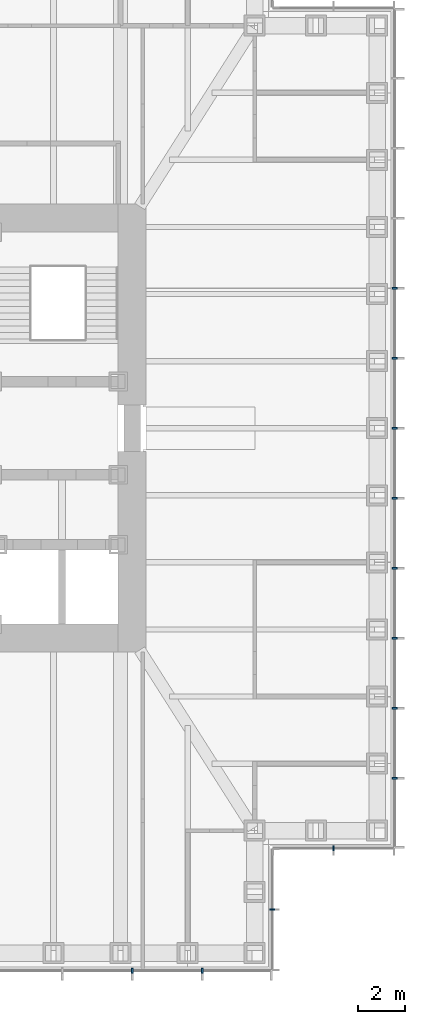
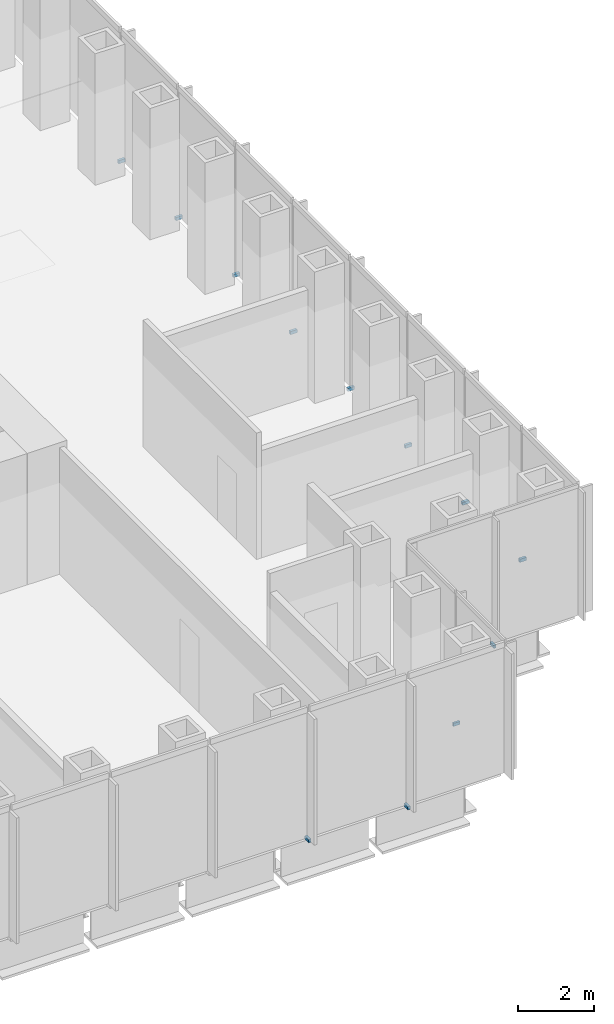
# One storey, part 14 of 17: 12 discrete accessories.
"""IFC4 building model written with IfcOpenShell, lengths in metres."""

from ifc_helpers import new_model, si_unit, direction, frame, origin, origin_2d, place, context, subcontext, project, spatial, rectangle, extrude, element, save


model = new_model("IFC4")

# Units and contexts
model_context = context("Model", 3, precision=1e-05, world=origin(), true_north=direction((0.0, 1.0)))
body_context = subcontext(model_context, "Body", "Model", "MODEL_VIEW")
ifc_project = project(units=[si_unit("LENGTHUNIT", "METRE"), si_unit("AREAUNIT", "SQUARE_METRE"), si_unit("VOLUMEUNIT", "CUBIC_METRE"), si_unit("PLANEANGLEUNIT", "RADIAN"), si_unit("MASSUNIT", "GRAM", prefix="KILO")], contexts=[model_context])

# Site, building, storey
site_placement = place(None, origin())
site = spatial("IfcSite", under=ifc_project, at=site_placement, CompositionType="ELEMENT")
building_placement = place(site_placement, origin())
building = spatial("IfcBuilding", under=site, at=building_placement, Name="Daluyong Arena Tower", CompositionType="ELEMENT")
storey_placement = place(building_placement, frame((0.0, 0.0, 150.10009765625)))
storey = spatial("IfcBuildingStorey", under=building, at=storey_placement, Name="L33", CompositionType="ELEMENT", Elevation=150.10009765625)

# Discrete accessories
for number, where, z_axis, x_axis, name in (
    (1, (68.0, 56.75, -0.10009765625), (0.0, 0.0, 1.0), (1.0, 0.0, 0.0), "curtain wall L33 S anchor bracket 11"),
    (2, (71.0, 56.75, -0.10009765625), (0.0, 0.0, 1.0), (1.0, 0.0, 0.0), "curtain wall L33 S anchor bracket 12"),
):
    element("IfcDiscreteAccessory", number, at=place(storey_placement, frame(where, z_axis=z_axis, x_axis=x_axis)), inside=storey, Name=name, PredefinedType="BRACKET", context=body_context, shape_type="SweptSolid", body=[
        extrude(rectangle(XDim=0.080078125, YDim=0.199951171875, at=origin_2d()), origin(), (0.0, 0.0, 1.0), 0.10009765625),
    ])
for number, where, z_axis, x_axis, name in (
    (3, (74.0, 59.375, -0.10009765625), (0.0, 0.0, 1.0), (0.0, 1.0, 0.0), "curtain wall L33 SE-E anchor bracket 2"),
    (4, (76.625, 62.0, -0.10009765625), (0.0, 0.0, 1.0), (1.0, 0.0, 0.0), "curtain wall L33 SE-S anchor bracket 2"),
):
    element("IfcDiscreteAccessory", number, at=place(storey_placement, frame(where, z_axis=z_axis, x_axis=x_axis)), inside=storey, Name=name, PredefinedType="BRACKET", context=body_context, shape_type="SweptSolid", body=[
        extrude(rectangle(XDim=0.06005859375, YDim=0.199951171875, at=origin_2d()), origin(), (0.0, 0.0, 1.0), 0.10009765625),
    ])
for number, where, z_axis, x_axis, name in (
    (5, (79.25, 65.0, -0.10009765625), (0.0, 0.0, 1.0), (0.0, 1.0, 0.0), "curtain wall L33 E anchor bracket 2"),
    (6, (79.25, 68.0, -0.10009765625), (0.0, 0.0, 1.0), (0.0, 1.0, 0.0), "curtain wall L33 E anchor bracket 3"),
    (7, (79.25, 71.0, -0.10009765625), (0.0, 0.0, 1.0), (0.0, 1.0, 0.0), "curtain wall L33 E anchor bracket 4"),
    (8, (79.25, 74.0, -0.10009765625), (0.0, 0.0, 1.0), (0.0, 1.0, 0.0), "curtain wall L33 E anchor bracket 5"),
    (9, (79.25, 77.0, -0.10009765625), (0.0, 0.0, 1.0), (0.0, 1.0, 0.0), "curtain wall L33 E anchor bracket 6"),
    (10, (79.25, 80.0, -0.10009765625), (0.0, 0.0, 1.0), (0.0, 1.0, 0.0), "curtain wall L33 E anchor bracket 7"),
    (11, (79.25, 83.0, -0.10009765625), (0.0, 0.0, 1.0), (0.0, 1.0, 0.0), "curtain wall L33 E anchor bracket 8"),
    (12, (79.25, 86.0, -0.10009765625), (0.0, 0.0, 1.0), (0.0, 1.0, 0.0), "curtain wall L33 E anchor bracket 9"),
):
    element("IfcDiscreteAccessory", number, at=place(storey_placement, frame(where, z_axis=z_axis, x_axis=x_axis)), inside=storey, Name=name, PredefinedType="BRACKET", context=body_context, shape_type="SweptSolid", body=[
        extrude(rectangle(XDim=0.080078125, YDim=0.199951171875, at=origin_2d()), origin(), (0.0, 0.0, 1.0), 0.10009765625),
    ])

save(model, "model.ifc")
